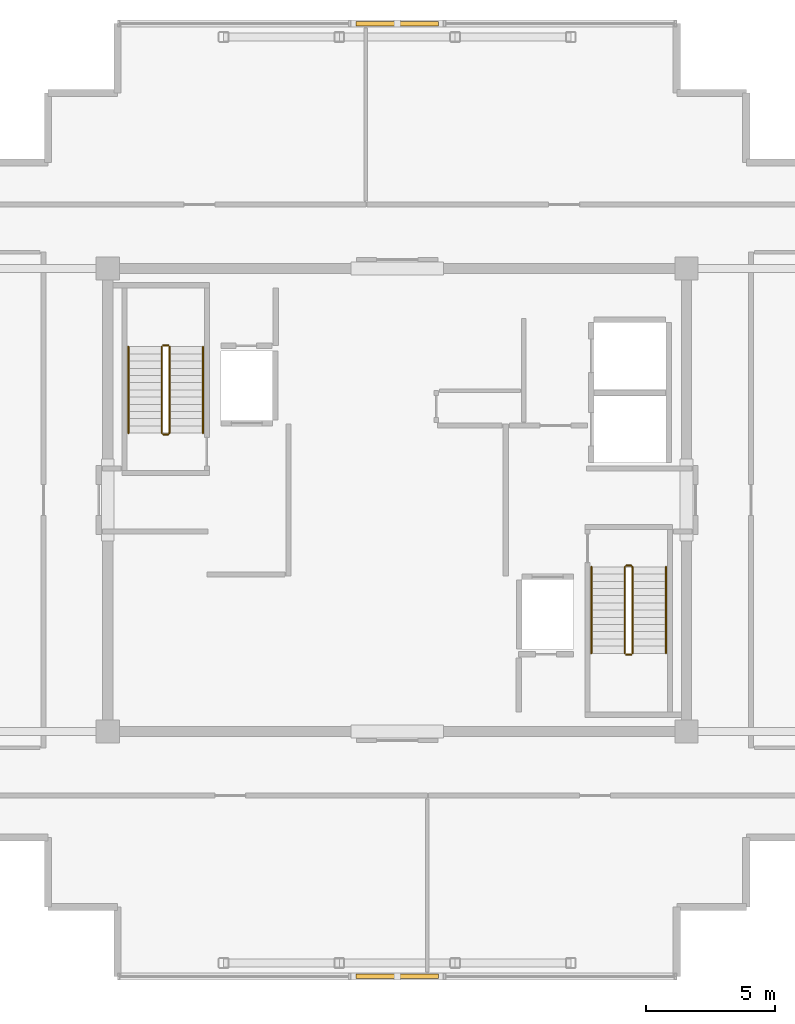
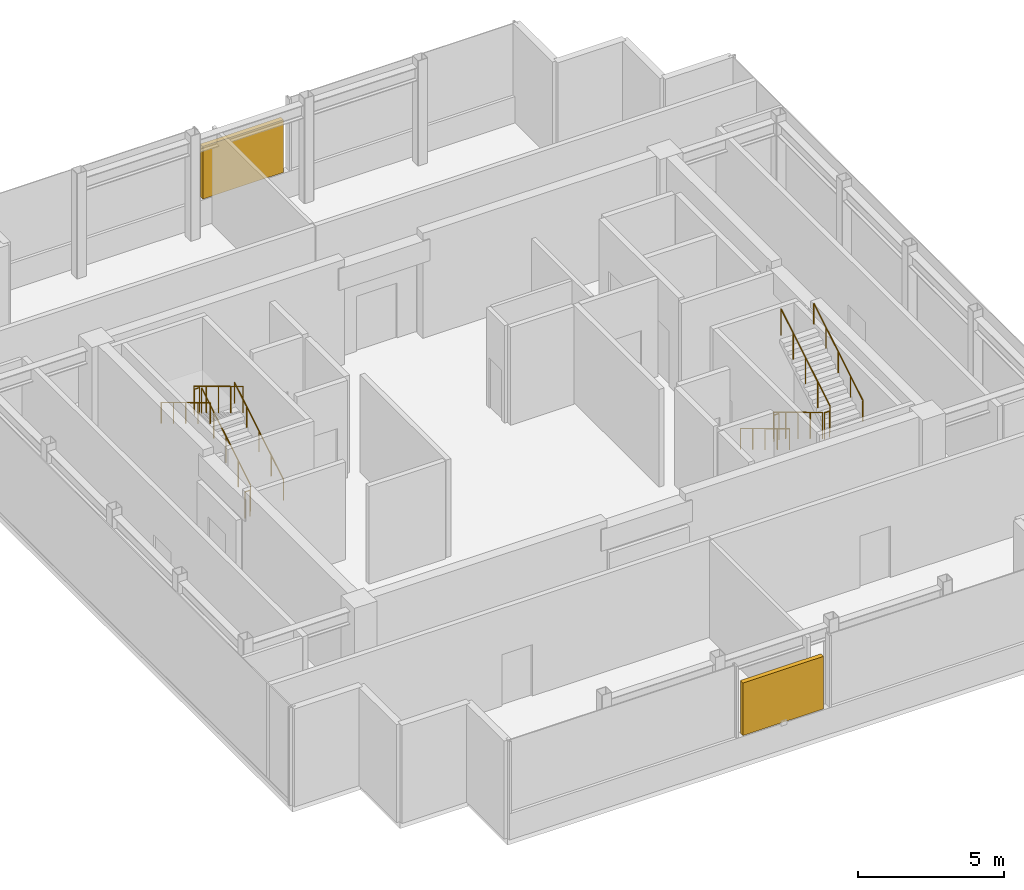
# One storey, part 14 of 14: 12 railings, 2 shading devices.
"""IFC4 building model written with IfcOpenShell, lengths in metres."""

from ifc_helpers import new_model, si_unit, direction, frame, origin, origin_2d, place, context, subcontext, project, spatial, rectangle, circle, extrude, source, transform, mapped, material, type_object, element, save


model = new_model("IFC4")

# Units and contexts
model_context = context("Model", 3, precision=1e-05, world=origin(), true_north=direction((0.0, 1.0)))
body_context = subcontext(model_context, "Body", "Model", "MODEL_VIEW")
ifc_project = project(units=[si_unit("LENGTHUNIT", "METRE"), si_unit("AREAUNIT", "SQUARE_METRE"), si_unit("VOLUMEUNIT", "CUBIC_METRE"), si_unit("PLANEANGLEUNIT", "RADIAN"), si_unit("MASSUNIT", "GRAM", prefix="KILO")], contexts=[model_context])

# Site, building, storey
site_placement = place(None, origin())
site = spatial("IfcSite", under=ifc_project, at=site_placement, CompositionType="ELEMENT")
building_placement = place(site_placement, origin())
building = spatial("IfcBuilding", under=site, at=building_placement, Name="Nefas-Gora Pilgrimage Tower", CompositionType="ELEMENT")
storey_placement = place(building_placement, frame((0.0, 0.0, 363.0)))
storey = spatial("IfcBuildingStorey", under=building, at=storey_placement, Name="L91", CompositionType="ELEMENT", Elevation=363.0)

# Railings
ifc_material_1 = material(Name="Painted galvanised steel", Category="steel")
railing_type_1 = type_object("IfcRailingType", Name="RLG-STR-GUARD-1100", PredefinedType="GUARDRAIL", material=ifc_material_1)
railing_1_placement = place(storey_placement, frame((-8.85009765625, 2.60009765625, 0.169189453125)))
element("IfcRailing", 1, at=railing_1_placement, inside=storey, type_object=railing_type_1, Name="L91 ST-01 stair guard 1", PredefinedType="GUARDRAIL", context=body_context, shape_type="SweptSolid", body=[
    extrude(circle(Radius=0.02392578125, at=origin_2d()), frame((0.0, 0.0, 1.09619140625), z_axis=(0.0, 0.855820338506, 0.51727318527), x_axis=(-1.0, 0.0, 0.0)), (0.0, 0.0, 1.0), 3.92578125),
    extrude(circle(Radius=0.02099609375, at=origin_2d()), origin(), (0.0, 0.0, 1.0), 1.072021484375),
    extrude(circle(Radius=0.02099609375, at=origin_2d()), frame((0.0, 0.83984375, 0.5078125)), (0.0, 0.0, 1.0), 1.072021484375),
    extrude(circle(Radius=0.02099609375, at=origin_2d()), frame((0.0, 1.679931640625, 1.015380859375)), (0.0, 0.0, 1.0), 1.072021484375),
    extrude(circle(Radius=0.02099609375, at=origin_2d()), frame((0.0, 2.52001953125, 1.52294921875)), (0.0, 0.0, 1.0), 1.072021484375),
    extrude(circle(Radius=0.02099609375, at=origin_2d()), frame((0.0, 3.35986328125, 2.03076171875)), (0.0, 0.0, 1.0), 1.072021484375),
])
railing_2_placement = place(storey_placement, frame((-8.89990234375, 6.010009765625, 2.199951171875)))
element("IfcRailing", 2, at=railing_2_placement, inside=storey, type_object=railing_type_1, Name="L91 ST-01 stair guard 2", PredefinedType="GUARDRAIL", context=body_context, shape_type="SweptSolid", body=[
    extrude(circle(Radius=0.02392578125, at=origin_2d()), frame((0.0, 0.0, 1.09619140625), z_axis=(-1.0, 0.0, 0.0), x_axis=(0.0, -1.0, 0.0)), (0.0, 0.0, 1.0), 0.2001953125),
    extrude(circle(Radius=0.02099609375, at=origin_2d()), origin(), (0.0, 0.0, 1.0), 1.072021484375),
    extrude(circle(Radius=0.02099609375, at=origin_2d()), frame((-0.2001953125, 0.0, 0.0)), (0.0, 0.0, 1.0), 1.072021484375),
])
railing_3_placement = place(storey_placement, frame((-9.14990234375, 5.9599609375, 2.369140625)))
element("IfcRailing", 3, at=railing_3_placement, inside=storey, type_object=railing_type_1, Name="L91 ST-01 stair guard 3", PredefinedType="GUARDRAIL", context=body_context, shape_type="SweptSolid", body=[
    extrude(circle(Radius=0.02392578125, at=origin_2d()), frame((0.0, 0.0, 1.09619140625), z_axis=(0.0, -0.855820338506, 0.51727318527), x_axis=(1.0, 0.0, 0.0)), (0.0, 0.0, 1.0), 3.92578125),
    extrude(circle(Radius=0.02099609375, at=origin_2d()), origin(), (0.0, 0.0, 1.0), 1.072021484375),
    extrude(circle(Radius=0.02099609375, at=origin_2d()), frame((0.0, -0.83984375, 0.5078125)), (0.0, 0.0, 1.0), 1.072021484375),
    extrude(circle(Radius=0.02099609375, at=origin_2d()), frame((0.0, -1.679931640625, 1.015380859375)), (0.0, 0.0, 1.0), 1.072021484375),
    extrude(circle(Radius=0.02099609375, at=origin_2d()), frame((0.0, -2.52001953125, 1.52294921875)), (0.0, 0.0, 1.0), 1.072021484375),
    extrude(circle(Radius=0.02099609375, at=origin_2d()), frame((0.0, -3.35986328125, 2.03076171875)), (0.0, 0.0, 1.0), 1.072021484375),
])
railing_4_placement = place(storey_placement, frame((-8.89990234375, 2.550048828125, 0.0)))
element("IfcRailing", 4, at=railing_4_placement, inside=storey, type_object=railing_type_1, Name="L91 ST-01 stair guard 4", PredefinedType="GUARDRAIL", context=body_context, shape_type="SweptSolid", body=[
    extrude(circle(Radius=0.02392578125, at=origin_2d()), frame((0.0, 0.0, 1.09619140625), z_axis=(-1.0, 0.0, 0.0), x_axis=(0.0, -1.0, 0.0)), (0.0, 0.0, 1.0), 0.2001953125),
    extrude(circle(Radius=0.02099609375, at=origin_2d()), origin(), (0.0, 0.0, 1.0), 1.072021484375),
    extrude(circle(Radius=0.02099609375, at=origin_2d()), frame((-0.2001953125, 0.0, 0.0)), (0.0, 0.0, 1.0), 1.072021484375),
])
railing_5_placement = place(storey_placement, frame((8.85009765625, -2.60009765625, 0.169189453125)))
element("IfcRailing", 5, at=railing_5_placement, inside=storey, type_object=railing_type_1, Name="L91 ST-02 stair guard 1", PredefinedType="GUARDRAIL", context=body_context, shape_type="SweptSolid", body=[
    extrude(circle(Radius=0.02392578125, at=origin_2d()), frame((0.0, 0.0, 1.09619140625), z_axis=(0.0, -0.855820338506, 0.51727318527), x_axis=(1.0, 0.0, 0.0)), (0.0, 0.0, 1.0), 3.92578125),
    extrude(circle(Radius=0.02099609375, at=origin_2d()), origin(), (0.0, 0.0, 1.0), 1.072021484375),
    extrude(circle(Radius=0.02099609375, at=origin_2d()), frame((0.0, -0.83984375, 0.5078125)), (0.0, 0.0, 1.0), 1.072021484375),
    extrude(circle(Radius=0.02099609375, at=origin_2d()), frame((0.0, -1.679931640625, 1.015380859375)), (0.0, 0.0, 1.0), 1.072021484375),
    extrude(circle(Radius=0.02099609375, at=origin_2d()), frame((0.0, -2.52001953125, 1.52294921875)), (0.0, 0.0, 1.0), 1.072021484375),
    extrude(circle(Radius=0.02099609375, at=origin_2d()), frame((0.0, -3.35986328125, 2.03076171875)), (0.0, 0.0, 1.0), 1.072021484375),
])
railing_6_placement = place(storey_placement, frame((8.89990234375, -6.010009765625, 2.199951171875)))
element("IfcRailing", 6, at=railing_6_placement, inside=storey, type_object=railing_type_1, Name="L91 ST-02 stair guard 2", PredefinedType="GUARDRAIL", context=body_context, shape_type="SweptSolid", body=[
    extrude(circle(Radius=0.02392578125, at=origin_2d()), frame((0.0, 0.0, 1.09619140625), z_axis=(1.0, 0.0, 0.0), x_axis=(0.0, 1.0, 0.0)), (0.0, 0.0, 1.0), 0.2001953125),
    extrude(circle(Radius=0.02099609375, at=origin_2d()), origin(), (0.0, 0.0, 1.0), 1.072021484375),
    extrude(circle(Radius=0.02099609375, at=origin_2d()), frame((0.2001953125, 0.0, 0.0)), (0.0, 0.0, 1.0), 1.072021484375),
])
railing_7_placement = place(storey_placement, frame((9.14990234375, -5.9599609375, 2.369140625)))
element("IfcRailing", 7, at=railing_7_placement, inside=storey, type_object=railing_type_1, Name="L91 ST-02 stair guard 3", PredefinedType="GUARDRAIL", context=body_context, shape_type="SweptSolid", body=[
    extrude(circle(Radius=0.02392578125, at=origin_2d()), frame((0.0, 0.0, 1.09619140625), z_axis=(0.0, 0.855820338506, 0.51727318527), x_axis=(-1.0, 0.0, 0.0)), (0.0, 0.0, 1.0), 3.92578125),
    extrude(circle(Radius=0.02099609375, at=origin_2d()), origin(), (0.0, 0.0, 1.0), 1.072021484375),
    extrude(circle(Radius=0.02099609375, at=origin_2d()), frame((0.0, 0.83984375, 0.5078125)), (0.0, 0.0, 1.0), 1.072021484375),
    extrude(circle(Radius=0.02099609375, at=origin_2d()), frame((0.0, 1.679931640625, 1.015380859375)), (0.0, 0.0, 1.0), 1.072021484375),
    extrude(circle(Radius=0.02099609375, at=origin_2d()), frame((0.0, 2.52001953125, 1.52294921875)), (0.0, 0.0, 1.0), 1.072021484375),
    extrude(circle(Radius=0.02099609375, at=origin_2d()), frame((0.0, 3.35986328125, 2.03076171875)), (0.0, 0.0, 1.0), 1.072021484375),
])
railing_8_placement = place(storey_placement, frame((8.89990234375, -2.550048828125, 0.0)))
element("IfcRailing", 8, at=railing_8_placement, inside=storey, type_object=railing_type_1, Name="L91 ST-02 stair guard 4", PredefinedType="GUARDRAIL", context=body_context, shape_type="SweptSolid", body=[
    extrude(circle(Radius=0.02392578125, at=origin_2d()), frame((0.0, 0.0, 1.09619140625), z_axis=(1.0, 0.0, 0.0), x_axis=(0.0, 1.0, 0.0)), (0.0, 0.0, 1.0), 0.2001953125),
    extrude(circle(Radius=0.02099609375, at=origin_2d()), origin(), (0.0, 0.0, 1.0), 1.072021484375),
    extrude(circle(Radius=0.02099609375, at=origin_2d()), frame((0.2001953125, 0.0, 0.0)), (0.0, 0.0, 1.0), 1.072021484375),
])
ifc_material_2 = material(Name="Brushed stainless steel", Category="steel")
railing_type_2 = type_object("IfcRailingType", Name="RLG-STR-HAND-900", PredefinedType="HANDRAIL", material=ifc_material_2)
railing_9_placement = place(storey_placement, frame((-7.550048828125, 2.60009765625, 0.169189453125)))
element("IfcRailing", 9, at=railing_9_placement, inside=storey, type_object=railing_type_2, Name="L91 ST-01 stair handrail 1", PredefinedType="HANDRAIL", context=body_context, shape_type="SweptSolid", body=[
    extrude(circle(Radius=0.02392578125, at=origin_2d()), frame((0.0, 0.0, 0.8759765625), z_axis=(0.0, 0.855820338506, 0.51727318527), x_axis=(-1.0, 0.0, 0.0)), (0.0, 0.0, 1.0), 3.92578125),
    extrude(circle(Radius=0.02099609375, at=origin_2d()), origin(), (0.0, 0.0, 1.0), 0.851806640625),
    extrude(circle(Radius=0.02099609375, at=origin_2d()), frame((0.0, 0.83984375, 0.5078125)), (0.0, 0.0, 1.0), 0.851806640625),
    extrude(circle(Radius=0.02099609375, at=origin_2d()), frame((0.0, 1.679931640625, 1.015380859375)), (0.0, 0.0, 1.0), 0.851806640625),
    extrude(circle(Radius=0.02099609375, at=origin_2d()), frame((0.0, 2.52001953125, 1.52294921875)), (0.0, 0.0, 1.0), 0.851806640625),
    extrude(circle(Radius=0.02099609375, at=origin_2d()), frame((0.0, 3.35986328125, 2.03076171875)), (0.0, 0.0, 1.0), 0.851806640625),
])
for number, where, name in (
    (10, (-10.449951171875, 5.9599609375, 2.369140625), "L91 ST-01 stair handrail 2"),
    (11, (7.550048828125, -2.60009765625, 0.169189453125), "L91 ST-02 stair handrail 1"),
):
    element("IfcRailing", number, at=place(storey_placement, frame(where)), inside=storey, type_object=railing_type_2, Name=name, PredefinedType="HANDRAIL", context=body_context, shape_type="SweptSolid", body=[
        extrude(circle(Radius=0.02392578125, at=origin_2d()), frame((0.0, 0.0, 0.8759765625), z_axis=(0.0, -0.855820338506, 0.51727318527), x_axis=(1.0, 0.0, 0.0)), (0.0, 0.0, 1.0), 3.92578125),
        extrude(circle(Radius=0.02099609375, at=origin_2d()), origin(), (0.0, 0.0, 1.0), 0.851806640625),
        extrude(circle(Radius=0.02099609375, at=origin_2d()), frame((0.0, -0.83984375, 0.5078125)), (0.0, 0.0, 1.0), 0.851806640625),
        extrude(circle(Radius=0.02099609375, at=origin_2d()), frame((0.0, -1.679931640625, 1.015380859375)), (0.0, 0.0, 1.0), 0.851806640625),
        extrude(circle(Radius=0.02099609375, at=origin_2d()), frame((0.0, -2.52001953125, 1.52294921875)), (0.0, 0.0, 1.0), 0.851806640625),
        extrude(circle(Radius=0.02099609375, at=origin_2d()), frame((0.0, -3.35986328125, 2.03076171875)), (0.0, 0.0, 1.0), 0.851806640625),
    ])
railing_10_placement = place(storey_placement, frame((10.449951171875, -5.9599609375, 2.369140625)))
element("IfcRailing", 12, at=railing_10_placement, inside=storey, type_object=railing_type_2, Name="L91 ST-02 stair handrail 2", PredefinedType="HANDRAIL", context=body_context, shape_type="SweptSolid", body=[
    extrude(circle(Radius=0.02392578125, at=origin_2d()), frame((0.0, 0.0, 0.8759765625), z_axis=(0.0, 0.855820338506, 0.51727318527), x_axis=(-1.0, 0.0, 0.0)), (0.0, 0.0, 1.0), 3.92578125),
    extrude(circle(Radius=0.02099609375, at=origin_2d()), origin(), (0.0, 0.0, 1.0), 0.851806640625),
    extrude(circle(Radius=0.02099609375, at=origin_2d()), frame((0.0, 0.83984375, 0.5078125)), (0.0, 0.0, 1.0), 0.851806640625),
    extrude(circle(Radius=0.02099609375, at=origin_2d()), frame((0.0, 1.679931640625, 1.015380859375)), (0.0, 0.0, 1.0), 0.851806640625),
    extrude(circle(Radius=0.02099609375, at=origin_2d()), frame((0.0, 2.52001953125, 1.52294921875)), (0.0, 0.0, 1.0), 0.851806640625),
    extrude(circle(Radius=0.02099609375, at=origin_2d()), frame((0.0, 3.35986328125, 2.03076171875)), (0.0, 0.0, 1.0), 0.851806640625),
])

# Shading devices
ifc_material_3 = material(Name="Dark-bronze anodised aluminium acoustic storm louvre", Category="aluminium")
shading_device_type_1 = type_object("IfcShadingDeviceType", Name="SHD-LOUVRE-JAL", PredefinedType="JALOUSIE", material=ifc_material_3)
shared_shape_1 = source(origin(), body_context, "Body", "SweptSolid", [
    extrude(rectangle(XDim=3.199951171875, YDim=0.179931640625, at=origin_2d()), origin(), (0.0, 0.0, 1.0), 2.199951171875),
])
shading_device_1_placement = place(storey_placement, frame((0.0, 18.52001953125, 1.10009765625), z_axis=(0.0, 0.0, 1.0), x_axis=(1.0, 0.0, 0.0)))
element("IfcShadingDevice", 13, at=shading_device_1_placement, inside=storey, type_object=shading_device_type_1, Name="L91 High-Altitude Storm Louvre Assembly 5", PredefinedType="JALOUSIE", context=body_context, shape_type="MappedRepresentation", body=[
    mapped(shared_shape_1, transform((0.0, 0.0, 0.0), x_axis=(1.0, 0.0, 0.0), y_axis=(0.0, 1.0, 0.0), z_axis=(0.0, 0.0, 1.0), scale=1.0)),
])
ifc_material_4 = material(Name="Perforated dark-bronze aluminium weather screen", Category="aluminium")
shading_device_type_2 = type_object("IfcShadingDeviceType", Name="SHD-SCREEN-SHUT", PredefinedType="SHUTTER", material=ifc_material_4)
shared_shape_2 = source(origin(), body_context, "Body", "SweptSolid", [
    extrude(rectangle(XDim=3.199951171875, YDim=0.179931640625, at=origin_2d()), origin(), (0.0, 0.0, 1.0), 2.199951171875),
])
shading_device_2_placement = place(storey_placement, frame((0.0, -18.52001953125, 1.10009765625), z_axis=(0.0, 0.0, 1.0), x_axis=(1.0, 0.0, 0.0)))
element("IfcShadingDevice", 14, at=shading_device_2_placement, inside=storey, type_object=shading_device_type_2, Name="L91 High-Altitude Storm Louvre Assembly 14", PredefinedType="SHUTTER", context=body_context, shape_type="MappedRepresentation", body=[
    mapped(shared_shape_2, transform((0.0, 0.0, 0.0), x_axis=(1.0, 0.0, 0.0), y_axis=(0.0, 1.0, 0.0), z_axis=(0.0, 0.0, 1.0), scale=1.0)),
])

save(model, "model.ifc")
